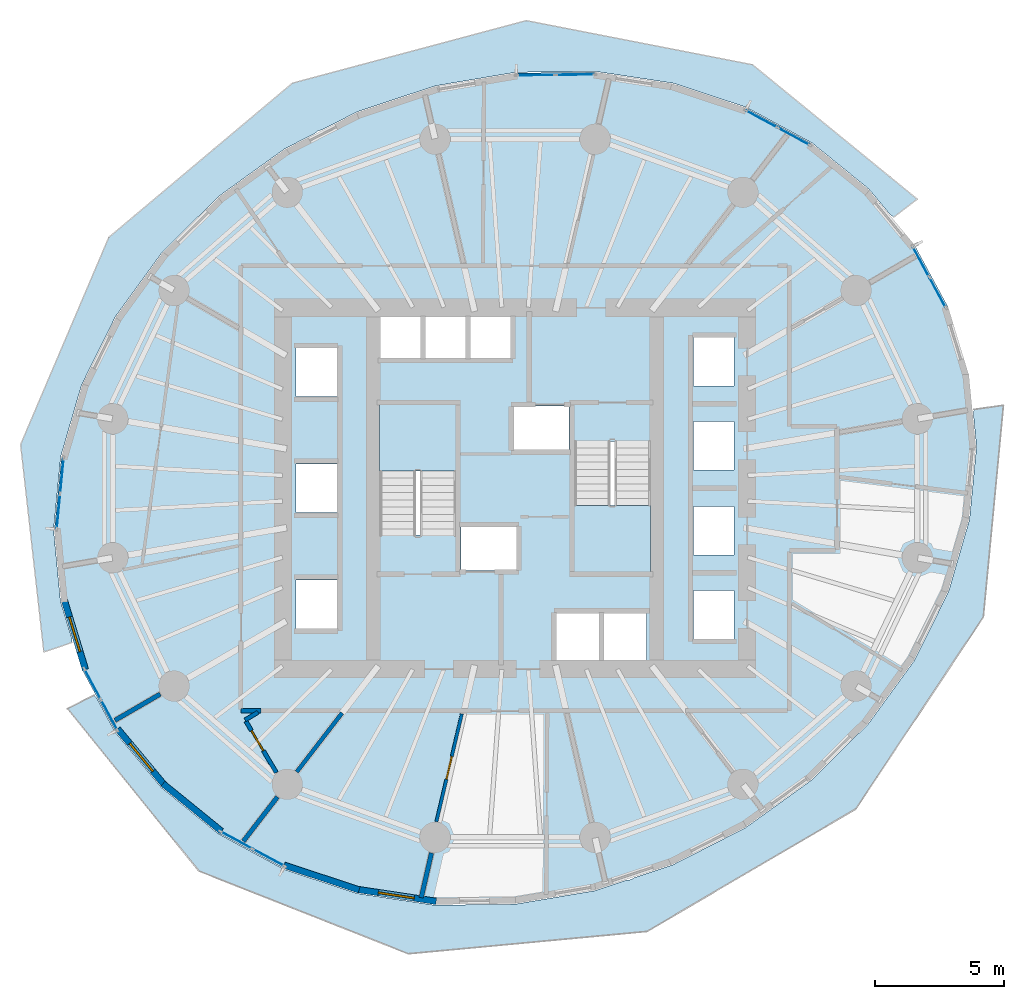
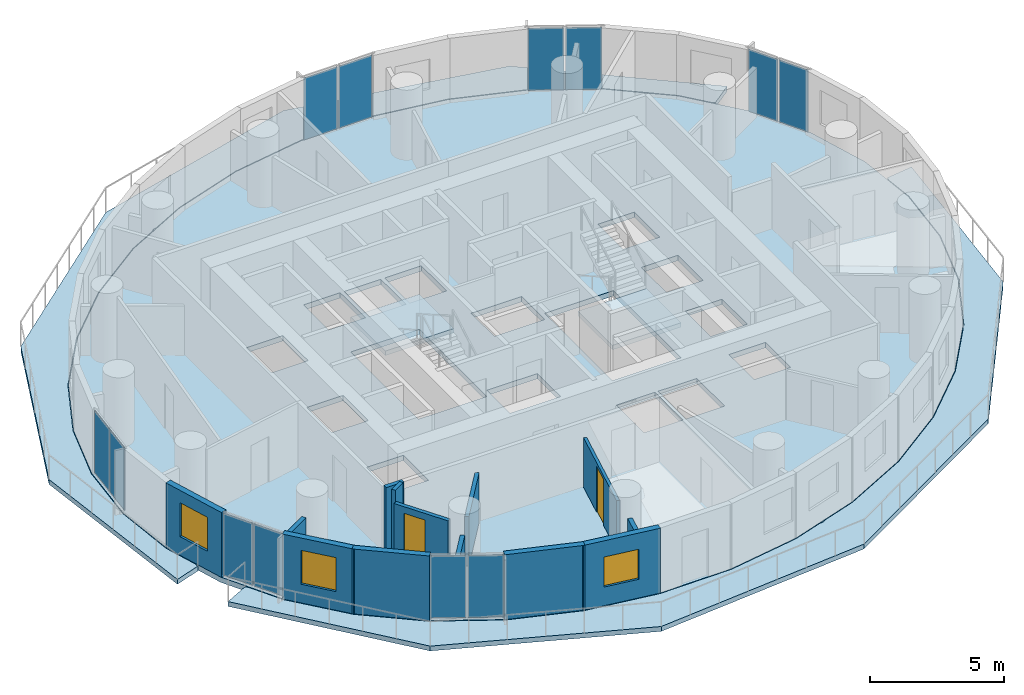
# One storey, part 6 of 14: 13 walls, 12 plates, 5 slabs, 3 windows, 2 doors, 5 openings, 8 elements without a shape of their own.
"""IFC4 building model written with IfcOpenShell, lengths in metres."""

from ifc_helpers import new_model, si_unit, direction, frame, frame_2d, origin, origin_2d, place, context, subcontext, project, spatial, polyline, rectangle, outline, extrude, material, layer, layer_set, type_object, element, fill, aggregate, save


model = new_model("IFC4")

# Units and contexts
model_context = context("Model", 3, precision=1e-05, world=origin(), true_north=direction((0.0, 1.0)))
body_context = subcontext(model_context, "Body", "Model", "MODEL_VIEW")
ifc_project = project(units=[si_unit("LENGTHUNIT", "METRE"), si_unit("AREAUNIT", "SQUARE_METRE"), si_unit("VOLUMEUNIT", "CUBIC_METRE"), si_unit("PLANEANGLEUNIT", "RADIAN"), si_unit("MASSUNIT", "GRAM", prefix="KILO")], contexts=[model_context])

# Site, building, storey
site_placement = place(None, origin())
site = spatial("IfcSite", under=ifc_project, at=site_placement, CompositionType="ELEMENT")
building_placement = place(site_placement, origin())
building = spatial("IfcBuilding", under=site, at=building_placement, Name="Veldorim Arch Residences", CompositionType="ELEMENT")
storey_placement = place(building_placement, frame((0.0, 0.0, 96.47998046875)))
storey = spatial("IfcBuildingStorey", under=building, at=storey_placement, Name="L28", CompositionType="ELEMENT", Elevation=96.47998046875)

# Slabs
ifc_material_1 = material(Name="Concrete C40/50", Category="concrete")
ifc_layer_1 = layer(ifc_material_1, 0.219970703125, Name="Planted Crescent Cantilever Balcony Slab 220")
ifc_layer_set_1 = layer_set([ifc_layer_1], Name="Concrete C40/50")
slab_type_1 = type_object("IfcSlabType", Name="Planted Crescent Cantilever Balcony Slab 220", PredefinedType="FLOOR", material=ifc_layer_set_1)
slab_1_placement = place(storey_placement, frame((0.0, 0.0, -0.219970703125)))
element("IfcSlab", 1, at=slab_1_placement, inside=storey, type_object=slab_type_1, Name="L28 planted crescent balcony slab A", PredefinedType="FLOOR", context=body_context, shape_type="SweptSolid", body=[
    extrude(outline(polyline([(46.537841796875, 34.610595703125), (45.7138671875, 35.598388671875), (43.5107421875, 37.387451171875), (40.9580078125, 38.76953125), (38.133056640625, 39.702880859375), (35.1220703125, 40.158935546875), (32.016357421875, 40.124267578125), (28.910400390625, 39.599609375), (25.898193359375, 38.601318359375), (24.527099609375, 37.902099609375), (24.356689453125, 37.854248046875), (24.228515625, 37.749755859375), (23.0712890625, 37.15966796875), (20.515625, 35.318115234375), (18.30859375, 33.132568359375), (16.517578125, 30.669677734375), (15.19677734375, 28.00390625), (14.38623046875, 25.21630859375), (14.111328125, 22.3916015625), (14.3798828125, 19.615478515625), (14.813232421875, 18.19189453125), (14.8212890625, 18.022216796875), (13.731689453125, 17.654296875), (12.83056640625, 25.695556640625), (16.251708984375, 33.730712890625), (23.368408203125, 39.70703125), (32.434326171875, 42.131591796875), (41.20703125, 40.41943359375), (47.590576171875, 35.210205078125), (46.677978515625, 34.51025390625), (46.537841796875, 34.610595703125)])), origin(), (0.0, 0.0, 1.0), 0.219970703125),
])
slab_2_placement = place(storey_placement, frame((0.0, 0.0, -0.219970703125)))
element("IfcSlab", 2, at=slab_2_placement, inside=storey, type_object=slab_type_1, Name="L28 planted crescent balcony slab B", PredefinedType="FLOOR", context=body_context, shape_type="SweptSolid", body=[
    extrude(outline(polyline([(15.791015625, 15.851806640625), (16.49951171875, 14.54345703125), (18.2861328125, 12.401611328125), (20.4892578125, 10.612548828125), (23.0419921875, 9.23046875), (25.866943359375, 8.297119140625), (28.8779296875, 7.841064453125), (31.983642578125, 7.875732421875), (35.089599609375, 8.400390625), (36.32275390625, 8.80908203125), (36.487060546875, 8.826904296875), (36.640869140625, 8.914306640625), (38.101806640625, 9.398681640625), (40.9287109375, 10.84033203125), (43.484375, 12.681884765625), (45.69140625, 14.867431640625), (47.482421875, 17.330322265625), (48.80322265625, 19.99609375), (49.61376953125, 22.78369140625), (49.888671875, 25.6083984375), (49.764892578125, 26.888427734375), (49.7919921875, 27.058837890625), (50.93115234375, 27.21630859375), (50.15234375, 19.013916015625), (45.20654296875, 11.56884765625), (37.111083984375, 6.821533203125), (27.858154296875, 5.95703125), (19.737060546875, 9.168701171875), (14.648681640625, 15.460205078125), (15.676025390625, 15.97705078125), (15.791015625, 15.851806640625)])), origin(), (0.0, 0.0, 1.0), 0.219970703125),
])

# Stair, slab
ifc_material_2 = material(Name="Concrete C40/50", Category="concrete")
stair_type = type_object("IfcStairType", Name="Reinforced Concrete Dogleg Exit Staircase", PredefinedType="HALF_TURN_STAIR", material=ifc_material_2)
stair_1_placement = place(storey_placement, origin())
stair_1 = element("IfcStair", 3, at=stair_1_placement, inside=storey, type_object=stair_type, Name="L28 Exit Staircase ST-1", PredefinedType="HALF_TURN_STAIR")
ifc_material_3 = material(Name="Concrete C40/50", Category="concrete")
ifc_layer_2 = layer(ifc_material_3, 0.199951171875, Name="Reinforced Concrete Stair Landing 200")
ifc_layer_set_2 = layer_set([ifc_layer_2], Name="Concrete C40/50")
slab_type_2 = type_object("IfcSlabType", Name="Reinforced Concrete Stair Landing 200", PredefinedType="LANDING", material=ifc_layer_set_2)
slab_3_placement = place(storey_placement, frame((0.0, 0.0, 1.39990234375)))
slab_3 = element("IfcSlab", 4, at=slab_3_placement, type_object=slab_type_2, Name="ST-1 landing 1", PredefinedType="LANDING", context=body_context, shape_type="SweptSolid", body=[
    extrude(outline(polyline([(29.7099609375, 24.669921875), (29.7099609375, 27.25), (26.75, 27.25), (26.75, 24.669921875), (29.7099609375, 24.669921875)])), origin(), (0.0, 0.0, 1.0), 0.2001953125),
])
aggregate(stair_1, [slab_3])

stair_2_placement = place(storey_placement, origin())
stair_2 = element("IfcStair", 5, at=stair_2_placement, inside=storey, type_object=stair_type, Name="L28 Exit Staircase ST-2", PredefinedType="HALF_TURN_STAIR")
slab_4_placement = place(storey_placement, frame((0.0, 0.0, 1.39990234375)))
slab_4 = element("IfcSlab", 6, at=slab_4_placement, type_object=slab_type_2, Name="ST-2 landing 1", PredefinedType="LANDING", context=body_context, shape_type="SweptSolid", body=[
    extrude(outline(polyline([(34.2900390625, 23.330078125), (34.2900390625, 20.75), (37.25, 20.75), (37.25, 23.330078125), (34.2900390625, 23.330078125)])), origin(), (0.0, 0.0, 1.0), 0.2001953125),
])
aggregate(stair_2, [slab_4])

# Slab
ifc_material_4 = material(Name="Concrete C40/50", Category="concrete")
ifc_layer_3 = layer(ifc_material_4, 0.239990234375, Name="Typical Residential Floor Slab 240")
ifc_layer_set_3 = layer_set([ifc_layer_3], Name="Concrete C40/50")
slab_type_3 = type_object("IfcSlabType", Name="Typical Residential Floor Slab 240", PredefinedType="FLOOR", material=ifc_layer_set_3)
slab_5_placement = place(storey_placement, frame((0.0, 0.0, -0.239990234375)))
element("IfcSlab", 7, at=slab_5_placement, inside=storey, type_object=slab_type_3, Name="L28 tower structural floor slab", PredefinedType="FLOOR", context=body_context, shape_type="SweptSolid", body=[
    extrude(outline(polyline([(48.79248046875, 31.017578125), (47.4794921875, 33.4423828125), (45.6962890625, 35.58056640625), (43.49658203125, 37.36669921875), (40.947998046875, 38.74658203125), (38.127197265625, 39.678466796875), (35.120361328125, 40.1337890625), (32.0185546875, 40.09912109375), (28.916259765625, 39.575439453125), (25.90771484375, 38.578125), (23.084228515625, 37.13818359375), (20.53173828125, 35.298828125), (18.32763671875, 33.1162109375), (16.5390625, 30.65673828125), (15.22021484375, 27.994873046875), (14.410888671875, 25.211669921875), (14.136474609375, 22.3916015625), (14.404541015625, 19.62060546875), (15.20751953125, 16.982421875), (16.5205078125, 14.5576171875), (18.3037109375, 12.41943359375), (20.50341796875, 10.63330078125), (23.052001953125, 9.25341796875), (25.872802734375, 8.321533203125), (28.879638671875, 7.8662109375), (31.9814453125, 7.90087890625), (35.083740234375, 8.424560546875), (38.09228515625, 9.421875), (40.915771484375, 10.86181640625), (43.46826171875, 12.701171875), (45.67236328125, 14.8837890625), (47.4609375, 17.34326171875), (48.77978515625, 20.005126953125), (49.589111328125, 22.788330078125), (49.863525390625, 25.6083984375), (49.595458984375, 28.37939453125), (48.79248046875, 31.017578125)]), holes=[polyline([(23.510009765625, 20.43994140625), (25.090087890625, 20.43994140625), (25.090087890625, 18.56005859375), (23.510009765625, 18.56005859375), (23.510009765625, 20.43994140625)]), polyline([(29.909912109375, 22.544921875), (32.090087890625, 22.544921875), (32.090087890625, 20.81494140625), (29.909912109375, 20.81494140625), (29.909912109375, 22.544921875)]), polyline([(23.510009765625, 24.93994140625), (25.090087890625, 24.93994140625), (25.090087890625, 23.06005859375), (23.510009765625, 23.06005859375), (23.510009765625, 24.93994140625)]), polyline([(26.75, 27.25), (29.7099609375, 27.25), (29.7099609375, 22.195068359375), (26.75, 22.195068359375), (26.75, 27.25)]), polyline([(23.510009765625, 29.43994140625), (25.090087890625, 29.43994140625), (25.090087890625, 27.56005859375), (23.510009765625, 27.56005859375), (23.510009765625, 29.43994140625)]), polyline([(26.760009765625, 30.7900390625), (28.340087890625, 30.7900390625), (28.340087890625, 28.909912109375), (26.760009765625, 28.909912109375), (26.760009765625, 30.7900390625)]), polyline([(28.510009765625, 30.7900390625), (30.090087890625, 30.7900390625), (30.090087890625, 28.909912109375), (28.510009765625, 28.909912109375), (28.510009765625, 30.7900390625)]), polyline([(30.260009765625, 30.7900390625), (31.840087890625, 30.7900390625), (31.840087890625, 28.909912109375), (30.260009765625, 28.909912109375), (30.260009765625, 30.7900390625)]), polyline([(33.610107421875, 19.2900390625), (35.2900390625, 19.2900390625), (35.2900390625, 17.2099609375), (33.610107421875, 17.2099609375), (33.610107421875, 19.2900390625)]), polyline([(35.409912109375, 19.2900390625), (37.090087890625, 19.2900390625), (37.090087890625, 17.2099609375), (35.409912109375, 17.2099609375), (35.409912109375, 19.2900390625)]), polyline([(38.909912109375, 20.0400390625), (40.489990234375, 20.0400390625), (40.489990234375, 18.159912109375), (38.909912109375, 18.159912109375), (38.909912109375, 20.0400390625)]), polyline([(38.909912109375, 23.2900390625), (40.489990234375, 23.2900390625), (40.489990234375, 21.409912109375), (38.909912109375, 21.409912109375), (38.909912109375, 23.2900390625)]), polyline([(34.2900390625, 25.804931640625), (37.25, 25.804931640625), (37.25, 20.75), (34.2900390625, 20.75), (34.2900390625, 25.804931640625)]), polyline([(38.909912109375, 26.590087890625), (40.489990234375, 26.590087890625), (40.489990234375, 24.7099609375), (38.909912109375, 24.7099609375), (38.909912109375, 26.590087890625)]), polyline([(31.909912109375, 27.18505859375), (34.090087890625, 27.18505859375), (34.090087890625, 25.455078125), (31.909912109375, 25.455078125), (31.909912109375, 27.18505859375)]), polyline([(38.909912109375, 29.840087890625), (40.489990234375, 29.840087890625), (40.489990234375, 27.9599609375), (38.909912109375, 27.9599609375), (38.909912109375, 29.840087890625)])]), origin(), (0.0, 0.0, 1.0), 0.239990234375),
])

# Curtain wall, plates
ifc_material_5 = material(Name="Aluminium", Category="aluminium")
curtain_wall_type = type_object("IfcCurtainWallType", Name="Zone 2 Solar-Control Unitised Curtain Wall", PredefinedType="NOTDEFINED", material=ifc_material_5)
curtain_wall_1_placement = place(storey_placement, origin())
curtain_wall_1 = element("IfcCurtainWall", 8, at=curtain_wall_1_placement, inside=storey, type_object=curtain_wall_type, Name="L28 unitised curtain wall bay 01", PredefinedType="NOTDEFINED")
ifc_material_6 = material(Name="Laminated Low-E Glass", Category="glass")
ifc_layer_4 = layer(ifc_material_6, 0.02587890625, Name="Zone 2 Solar-Control Unitised Curtain Wall Glazing Panel 26")
ifc_layer_set_4 = layer_set([ifc_layer_4], Name="Laminated Low-E Glass")
plate_type = type_object("IfcPlateType", Name="Zone 2 Solar-Control Unitised Curtain Wall Glazing Panel 26", PredefinedType="CURTAIN_PANEL", material=ifc_layer_set_4)
plate_1_placement = place(storey_placement, frame((47.736572265625, 32.779052734375, 0.06494140625), z_axis=(0.0, 0.0, 1.0), x_axis=(0.4761464591, -0.87936599291, 0.0)))
plate_1 = element("IfcPlate", 9, at=plate_1_placement, type_object=plate_type, Name="CW-Z2 panel 1.1", PredefinedType="CURTAIN_PANEL", context=body_context, shape_type="SweptSolid", body=[
    extrude(rectangle(XDim=1.28125, YDim=0.02587890625, at=origin_2d()), origin(), (0.0, 0.0, 1.0), 2.830078125),
])
plate_2_placement = place(storey_placement, frame((48.37744140625, 31.59521484375, 0.06494140625), z_axis=(0.0, 0.0, 1.0), x_axis=(0.4761464591, -0.87936599291, 0.0)))
plate_2 = element("IfcPlate", 10, at=plate_2_placement, type_object=plate_type, Name="CW-Z2 panel 2.1", PredefinedType="CURTAIN_PANEL", context=body_context, shape_type="SweptSolid", body=[
    extrude(rectangle(XDim=1.28125, YDim=0.02587890625, at=origin_2d()), origin(), (0.0, 0.0, 1.0), 2.830078125),
])
aggregate(curtain_wall_1, [plate_1, plate_2])

curtain_wall_2_placement = place(storey_placement, origin())
curtain_wall_2 = element("IfcCurtainWall", 11, at=curtain_wall_2_placement, inside=storey, type_object=curtain_wall_type, Name="L28 unitised curtain wall bay 04", PredefinedType="NOTDEFINED")
plate_3_placement = place(storey_placement, frame((41.556640625, 38.314697265625, 0.06494140625), z_axis=(0.0, 0.0, 1.0), x_axis=(0.879393091534, -0.476096408895, 0.0)))
plate_3 = element("IfcPlate", 12, at=plate_3_placement, type_object=plate_type, Name="CW-Z2 panel 1.1", PredefinedType="CURTAIN_PANEL", context=body_context, shape_type="SweptSolid", body=[
    extrude(rectangle(XDim=1.3515625, YDim=0.02587890625, at=origin_2d()), origin(), (0.0, 0.0, 1.0), 2.830078125),
])
plate_4_placement = place(storey_placement, frame((42.802490234375, 37.64013671875, 0.06494140625), z_axis=(0.0, 0.0, 1.0), x_axis=(0.879393091534, -0.476096408895, 0.0)))
plate_4 = element("IfcPlate", 13, at=plate_4_placement, type_object=plate_type, Name="CW-Z2 panel 2.1", PredefinedType="CURTAIN_PANEL", context=body_context, shape_type="SweptSolid", body=[
    extrude(rectangle(XDim=1.3515625, YDim=0.02587890625, at=origin_2d()), origin(), (0.0, 0.0, 1.0), 2.830078125),
])
aggregate(curtain_wall_2, [plate_3, plate_4])

curtain_wall_3_placement = place(storey_placement, origin())
curtain_wall_3 = element("IfcCurtainWall", 14, at=curtain_wall_3_placement, inside=storey, type_object=curtain_wall_type, Name="L28 unitised curtain wall bay 07", PredefinedType="NOTDEFINED")
plate_5_placement = place(storey_placement, frame((32.811279296875, 40.01806640625, 0.06494140625), z_axis=(0.0, 0.0, 1.0), x_axis=(0.999937426765, 0.01118671332, 0.0)))
plate_5 = element("IfcPlate", 15, at=plate_5_placement, type_object=plate_type, Name="CW-Z2 panel 1.1", PredefinedType="CURTAIN_PANEL", context=body_context, shape_type="SweptSolid", body=[
    extrude(rectangle(XDim=1.453369140625, YDim=0.02587890625, at=origin_2d()), origin(), (0.0, 0.0, 1.0), 2.830078125),
])
plate_6_placement = place(storey_placement, frame((34.32958984375, 40.03515625, 0.06494140625), z_axis=(0.0, 0.0, 1.0), x_axis=(0.999937426765, 0.01118671332, 0.0)))
plate_6 = element("IfcPlate", 16, at=plate_6_placement, type_object=plate_type, Name="CW-Z2 panel 2.1", PredefinedType="CURTAIN_PANEL", context=body_context, shape_type="SweptSolid", body=[
    extrude(rectangle(XDim=1.453369140625, YDim=0.02587890625, at=origin_2d()), origin(), (0.0, 0.0, 1.0), 2.830078125),
])
aggregate(curtain_wall_3, [plate_5, plate_6])

curtain_wall_4_placement = place(storey_placement, origin())
curtain_wall_4 = element("IfcCurtainWall", 17, at=curtain_wall_4_placement, inside=storey, type_object=curtain_wall_type, Name="L28 unitised curtain wall bay 16", PredefinedType="NOTDEFINED")
plate_7_placement = place(storey_placement, frame((14.296142578125, 23.10400390625, 0.06494140625), z_axis=(0.0, 0.0, 1.0), x_axis=(0.096914077387, 0.995292751709, 0.0)))
plate_7 = element("IfcPlate", 18, at=plate_7_placement, type_object=plate_type, Name="CW-Z2 panel 1.1", PredefinedType="CURTAIN_PANEL", context=body_context, shape_type="SweptSolid", body=[
    extrude(rectangle(XDim=1.3193359375, YDim=0.02587890625, at=origin_2d()), origin(), (0.0, 0.0, 1.0), 2.830078125),
])
plate_8_placement = place(storey_placement, frame((14.430419921875, 24.481689453125, 0.06494140625), z_axis=(0.0, 0.0, 1.0), x_axis=(0.096914077387, 0.995292751709, 0.0)))
plate_8 = element("IfcPlate", 19, at=plate_8_placement, type_object=plate_type, Name="CW-Z2 panel 2.1", PredefinedType="CURTAIN_PANEL", context=body_context, shape_type="SweptSolid", body=[
    extrude(rectangle(XDim=1.3193359375, YDim=0.02587890625, at=origin_2d()), origin(), (0.0, 0.0, 1.0), 2.830078125),
])
aggregate(curtain_wall_4, [plate_7, plate_8])

curtain_wall_5_placement = place(storey_placement, origin())
curtain_wall_5 = element("IfcCurtainWall", 20, at=curtain_wall_5_placement, inside=storey, type_object=curtain_wall_type, Name="L28 unitised curtain wall bay 19", PredefinedType="NOTDEFINED")
plate_9_placement = place(storey_placement, frame((16.263427734375, 15.220947265625, 0.06494140625), z_axis=(0.0, 0.0, 1.0), x_axis=(-0.4761464591, 0.87936599291, 0.0)))
plate_9 = element("IfcPlate", 21, at=plate_9_placement, type_object=plate_type, Name="CW-Z2 panel 1.1", PredefinedType="CURTAIN_PANEL", context=body_context, shape_type="SweptSolid", body=[
    extrude(rectangle(XDim=1.28125, YDim=0.02587890625, at=origin_2d()), origin(), (0.0, 0.0, 1.0), 2.830078125),
])
plate_10_placement = place(storey_placement, frame((15.62255859375, 16.40478515625, 0.06494140625), z_axis=(0.0, 0.0, 1.0), x_axis=(-0.4761464591, 0.87936599291, 0.0)))
plate_10 = element("IfcPlate", 22, at=plate_10_placement, type_object=plate_type, Name="CW-Z2 panel 2.1", PredefinedType="CURTAIN_PANEL", context=body_context, shape_type="SweptSolid", body=[
    extrude(rectangle(XDim=1.28125, YDim=0.02587890625, at=origin_2d()), origin(), (0.0, 0.0, 1.0), 2.830078125),
])
aggregate(curtain_wall_5, [plate_9, plate_10])

curtain_wall_6_placement = place(storey_placement, origin())
curtain_wall_6 = element("IfcCurtainWall", 23, at=curtain_wall_6_placement, inside=storey, type_object=curtain_wall_type, Name="L28 unitised curtain wall bay 22", PredefinedType="NOTDEFINED")
plate_11_placement = place(storey_placement, frame((22.443359375, 9.685302734375, 0.06494140625), z_axis=(0.0, 0.0, 1.0), x_axis=(-0.879393091534, 0.476096408895, 0.0)))
plate_11 = element("IfcPlate", 24, at=plate_11_placement, type_object=plate_type, Name="CW-Z2 panel 1.1", PredefinedType="CURTAIN_PANEL", context=body_context, shape_type="SweptSolid", body=[
    extrude(rectangle(XDim=1.3515625, YDim=0.02587890625, at=origin_2d()), origin(), (0.0, 0.0, 1.0), 2.830078125),
])
plate_12_placement = place(storey_placement, frame((21.197509765625, 10.35986328125, 0.06494140625), z_axis=(0.0, 0.0, 1.0), x_axis=(-0.879393091534, 0.476096408895, 0.0)))
plate_12 = element("IfcPlate", 25, at=plate_12_placement, type_object=plate_type, Name="CW-Z2 panel 2.1", PredefinedType="CURTAIN_PANEL", context=body_context, shape_type="SweptSolid", body=[
    extrude(rectangle(XDim=1.3515625, YDim=0.02587890625, at=origin_2d()), origin(), (0.0, 0.0, 1.0), 2.830078125),
])
aggregate(curtain_wall_6, [plate_11, plate_12])

# Wall, opening, door
ifc_material_7 = material(Name="Acoustic Gypsum Board", Category="gypsum")
ifc_layer_5 = layer(ifc_material_7, 0.125, Name="Acoustic Stud Room Partition Wall 125")
ifc_layer_set_5 = layer_set([ifc_layer_5], Name="Acoustic Gypsum Board")
wall_type_1 = type_object("IfcWallType", Name="Acoustic Stud Room Partition Wall 125", PredefinedType="PARTITIONING", material=ifc_layer_set_5)
wall_1_placement = place(storey_placement, frame((28.951171875, 11.0732421875, 0.0), z_axis=(0.0, 0.0, 1.0), x_axis=(0.229552612231, 0.973296254086, 0.0)))
wall_1 = element("IfcWall", 26, at=wall_1_placement, inside=storey, type_object=wall_type_1, Name="L28 interior wall WL-RES-L28-014", PredefinedType="PARTITIONING", context=body_context, shape_type="SweptSolid", body=[
    extrude(rectangle(XDim=4.294677734375, YDim=0.125, at=frame_2d((2.1474609375, 0.0))), origin(), (0.0, 0.0, 1.0), 2.260498046875),
])
opening_1_placement = place(wall_1_placement, frame((1.697509765625, 0.0, 0.0)))
opening_1 = element("IfcOpeningElement", 27, at=opening_1_placement, cuts=wall_1, Name="Opening DR-INT", PredefinedType="OPENING", context=body_context, shape_type="SweptSolid", body=[
    extrude(rectangle(XDim=0.89990234375, YDim=2.10009765625, at=frame_2d((0.449951171875, 1.050048828125))), frame((0.0, 0.072509765625, 0.0), z_axis=(0.0, -1.0, 0.0), x_axis=(1.0, 0.0, 0.0)), (0.0, 0.0, 1.0), 0.14501953125),
])
ifc_material_8 = material(Name="Engineered Timber", Category="wood")
door_type_1 = type_object("IfcDoorType", Name="Apartment Internal Room Timber Door 900x2100", OperationType="SINGLE_SWING_LEFT", PredefinedType="DOOR", material=ifc_material_8)
door_1_placement = place(opening_1_placement, origin())
door_1 = element("IfcDoor", 28, at=door_1_placement, inside=storey, type_object=door_type_1, Name="L28 interior door DR-RES-L28-003", OperationType="SINGLE_SWING_LEFT", OverallHeight=2.10009765625, OverallWidth=0.89990234375, PredefinedType="DOOR", context=body_context, shape_type="SweptSolid", body=[
    extrude(rectangle(XDim=0.89990234375, YDim=2.10009765625, at=frame_2d((0.449951171875, 1.050048828125))), frame((0.0, 0.02490234375, 0.0), z_axis=(0.0, -1.0, 0.0), x_axis=(1.0, 0.0, 0.0)), (0.0, 0.0, 1.0), 0.050048828125),
])
fill(opening_1, door_1)

# Walls
ifc_material_9 = material(Name="Lightweight Masonry Block & Gypsum", Category="masonry")
ifc_layer_6 = layer(ifc_material_9, 0.179931640625, Name="Compartment & Corridor Fire-Rated Party Wall 180")
ifc_layer_set_6 = layer_set([ifc_layer_6], Name="Lightweight Masonry Block & Gypsum")
wall_type_2 = type_object("IfcWallType", Name="Compartment & Corridor Fire-Rated Party Wall 180", PredefinedType="PARTITIONING", material=ifc_layer_set_6)
wall_2_placement = place(storey_placement, frame((18.243408203125, 16.022216796875, 0.0), z_axis=(0.0, 0.0, 1.0), x_axis=(-0.865025978628, -0.501727073516, 0.0)))
element("IfcWall", 29, at=wall_2_placement, inside=storey, type_object=wall_type_2, Name="L28 interior wall WL-PIER-L28-10", PredefinedType="PARTITIONING", context=body_context, shape_type="SweptSolid", body=[
    extrude(rectangle(XDim=2.033447265625, YDim=0.179931640625, at=frame_2d((1.0166015625, 0.0))), origin(), (0.0, 0.0, 1.0), 2.260498046875),
])
wall_3_placement = place(storey_placement, frame((22.7880859375, 12.034423828125, 0.0), z_axis=(0.0, 0.0, 1.0), x_axis=(-0.610026423006, -0.792381071981, 0.0)))
element("IfcWall", 30, at=wall_3_placement, inside=storey, type_object=wall_type_2, Name="L28 interior wall WL-PIER-L28-11", PredefinedType="PARTITIONING", context=body_context, shape_type="SweptSolid", body=[
    extrude(rectangle(XDim=2.16748046875, YDim=0.179931640625, at=frame_2d((1.083740234375, 0.0))), origin(), (0.0, 0.0, 1.0), 2.260498046875),
])
wall_4_placement = place(storey_placement, frame((28.759521484375, 9.86083984375, 0.0), z_axis=(0.0, 0.0, 1.0), x_axis=(-0.223406034992, -0.974725470853, 0.0)))
element("IfcWall", 31, at=wall_4_placement, inside=storey, type_object=wall_type_2, Name="L28 interior wall WL-PIER-L28-12", PredefinedType="PARTITIONING", context=body_context, shape_type="SweptSolid", body=[
    extrude(rectangle(XDim=1.779052734375, YDim=0.179931640625, at=frame_2d((0.8896484375, 0.0))), origin(), (0.0, 0.0, 1.0), 2.260498046875),
])
wall_5_placement = place(storey_placement, frame((22.1435546875, 15.3701171875, 0.0), z_axis=(0.0, 0.0, 1.0), x_axis=(-1.0, 0.0, 0.0)))
element("IfcWall", 32, at=wall_5_placement, inside=storey, type_object=wall_type_2, Name="L28 interior wall WL-RES-L28-011", PredefinedType="PARTITIONING", context=body_context, shape_type="SweptSolid", body=[
    extrude(rectangle(XDim=0.7734375, YDim=0.179931640625, at=frame_2d((0.38671875, 0.0))), origin(), (0.0, 0.0, 1.0), 2.955078125),
])

# Wall, opening, window
ifc_material_10 = material(Name="Precast concrete C40/50", Category="concrete")
ifc_layer_7 = layer(ifc_material_10, 0.25, Name="Tower Terracotta Spandrel & Pier Wall 250")
ifc_layer_set_7 = layer_set([ifc_layer_7], Name="Precast concrete C40/50")
wall_type_3 = type_object("IfcWallType", Name="Tower Terracotta Spandrel & Pier Wall 250", PredefinedType="SOLIDWALL", material=ifc_layer_set_7)
wall_6_placement = place(storey_placement, frame((15.340087890625, 16.9755859375, 0.0), z_axis=(0.0, 0.0, 1.0), x_axis=(-0.291144558409, 0.956679071637, 0.0)))
wall_6 = element("IfcWall", 33, at=wall_6_placement, inside=storey, type_object=wall_type_3, Name="L28 terracotta facade wall 18", PredefinedType="SOLIDWALL", context=body_context, shape_type="SweptSolid", body=[
    extrude(rectangle(XDim=2.84765625, YDim=0.25, at=frame_2d((1.423828125, 0.0))), origin(), (0.0, 0.0, 1.0), 2.9599609375),
])
opening_2_placement = place(wall_6_placement, frame((0.72412109375, 0.0, 0.85009765625)))
opening_2 = element("IfcOpeningElement", 34, at=opening_2_placement, cuts=wall_6, Name="Opening WN-02", PredefinedType="OPENING", context=body_context, shape_type="SweptSolid", body=[
    extrude(rectangle(XDim=1.39990234375, YDim=1.550048828125, at=frame_2d((0.699951171875, 0.77490234375))), frame((0.0, 0.135009765625, 0.0), z_axis=(0.0, -1.0, 0.0), x_axis=(1.0, 0.0, 0.0)), (0.0, 0.0, 1.0), 0.27001953125),
])
ifc_material_11 = material(Name="Laminated Low-E Glass", Category="glass")
window_type = type_object("IfcWindowType", Name="Residential Casement Window 1400x1550", PartitioningType="SINGLE_PANEL", PredefinedType="WINDOW", material=ifc_material_11)
window_1_placement = place(opening_2_placement, origin())
window_1 = element("IfcWindow", 35, at=window_1_placement, inside=storey, type_object=window_type, Name="L28 solar-control facade window 18", OverallHeight=1.550048828125, OverallWidth=1.39990234375, PartitioningType="SINGLE_PANEL", PredefinedType="WINDOW", context=body_context, shape_type="SweptSolid", body=[
    extrude(rectangle(XDim=1.39990234375, YDim=1.550048828125, at=frame_2d((0.699951171875, 0.77490234375))), frame((0.0, 0.030029296875, 0.0), z_axis=(0.0, -1.0, 0.0), x_axis=(1.0, 0.0, 0.0)), (0.0, 0.0, 1.0), 0.06005859375),
])
fill(opening_2, window_1)

wall_7_placement = place(storey_placement, frame((18.428466796875, 12.465087890625, 0.0), z_axis=(0.0, 0.0, 1.0), x_axis=(-0.640518566271, 0.76794268423, 0.0)))
wall_7 = element("IfcWall", 36, at=wall_7_placement, inside=storey, type_object=wall_type_3, Name="L28 terracotta facade wall 20", PredefinedType="SOLIDWALL", context=body_context, shape_type="SweptSolid", body=[
    extrude(rectangle(XDim=2.8740234375, YDim=0.25, at=frame_2d((1.43701171875, 0.0))), origin(), (0.0, 0.0, 1.0), 2.9599609375),
])
opening_3_placement = place(wall_7_placement, frame((0.737060546875, 0.0, 0.85009765625)))
opening_3 = element("IfcOpeningElement", 37, at=opening_3_placement, cuts=wall_7, Name="Opening WN-02", PredefinedType="OPENING", context=body_context, shape_type="SweptSolid", body=[
    extrude(rectangle(XDim=1.39990234375, YDim=1.550048828125, at=frame_2d((0.699951171875, 0.77490234375))), frame((0.0, 0.135009765625, 0.0), z_axis=(0.0, -1.0, 0.0), x_axis=(1.0, 0.0, 0.0)), (0.0, 0.0, 1.0), 0.27001953125),
])
window_2_placement = place(opening_3_placement, origin())
window_2 = element("IfcWindow", 38, at=window_2_placement, inside=storey, type_object=window_type, Name="L28 solar-control facade window 20", OverallHeight=1.550048828125, OverallWidth=1.39990234375, PartitioningType="SINGLE_PANEL", PredefinedType="WINDOW", context=body_context, shape_type="SweptSolid", body=[
    extrude(rectangle(XDim=1.39990234375, YDim=1.550048828125, at=frame_2d((0.699951171875, 0.77490234375))), frame((0.0, 0.030029296875, 0.0), z_axis=(0.0, -1.0, 0.0), x_axis=(1.0, 0.0, 0.0)), (0.0, 0.0, 1.0), 0.06005859375),
])
fill(opening_3, window_2)

# Walls
wall_8_placement = place(storey_placement, frame((20.616943359375, 10.7021484375, 0.0), z_axis=(0.0, 0.0, 1.0), x_axis=(-0.776285131062, 0.630381943976, 0.0)))
element("IfcWall", 39, at=wall_8_placement, inside=storey, type_object=wall_type_3, Name="L28 terracotta facade wall 21", PredefinedType="SOLIDWALL", context=body_context, shape_type="SweptSolid", body=[
    extrude(rectangle(XDim=2.92333984375, YDim=0.25, at=frame_2d((1.461669921875, 0.0))), origin(), (0.0, 0.0, 1.0), 2.9599609375),
])
wall_9_placement = place(storey_placement, frame((25.95458984375, 8.42626953125, 0.0), z_axis=(0.0, 0.0, 1.0), x_axis=(-0.949533409058, 0.313665913166, 0.0)))
element("IfcWall", 40, at=wall_9_placement, inside=storey, type_object=wall_type_3, Name="L28 terracotta facade wall 23", PredefinedType="SOLIDWALL", context=body_context, shape_type="SweptSolid", body=[
    extrude(rectangle(XDim=3.060546875, YDim=0.25, at=frame_2d((1.5302734375, 0.0))), origin(), (0.0, 0.0, 1.0), 2.9599609375),
])

# Wall, opening, window
wall_10_placement = place(storey_placement, frame((28.94287109375, 7.98291015625, 0.0), z_axis=(0.0, 0.0, 1.0), x_axis=(-0.988719703222, 0.149777663425, 0.0)))
wall_10 = element("IfcWall", 41, at=wall_10_placement, inside=storey, type_object=wall_type_3, Name="L28 terracotta facade wall 24", PredefinedType="SOLIDWALL", context=body_context, shape_type="SweptSolid", body=[
    extrude(rectangle(XDim=3.13134765625, YDim=0.25, at=frame_2d((1.565673828125, 0.0))), origin(), (0.0, 0.0, 1.0), 2.9599609375),
])
opening_4_placement = place(wall_10_placement, frame((0.865966796875, 0.0, 0.85009765625)))
opening_4 = element("IfcOpeningElement", 42, at=opening_4_placement, cuts=wall_10, Name="Opening WN-02", PredefinedType="OPENING", context=body_context, shape_type="SweptSolid", body=[
    extrude(rectangle(XDim=1.39990234375, YDim=1.3701171875, at=frame_2d((0.699951171875, 0.68505859375))), frame((0.0, 0.135009765625, 0.0), z_axis=(0.0, -1.0, 0.0), x_axis=(1.0, 0.0, 0.0)), (0.0, 0.0, 1.0), 0.27001953125),
])
window_3_placement = place(opening_4_placement, origin())
window_3 = element("IfcWindow", 43, at=window_3_placement, inside=storey, type_object=window_type, Name="L28 solar-control facade window 24", OverallHeight=1.3701171875, OverallWidth=1.39990234375, PartitioningType="SINGLE_PANEL", PredefinedType="WINDOW", context=body_context, shape_type="SweptSolid", body=[
    extrude(rectangle(XDim=1.39990234375, YDim=1.3701171875, at=frame_2d((0.699951171875, 0.68505859375))), frame((0.0, 0.030029296875, 0.0), z_axis=(0.0, -1.0, 0.0), x_axis=(1.0, 0.0, 0.0)), (0.0, 0.0, 1.0), 0.06005859375),
])
fill(opening_4, window_3)

# Walls
ifc_material_12 = material(Name="Moisture-Resistant Gypsum & Stud", Category="gypsum")
ifc_layer_8 = layer(ifc_material_12, 0.159912109375, Name="Wet-Area Moisture-Resistant Plumbing Wall 160")
ifc_layer_set_8 = layer_set([ifc_layer_8], Name="Moisture-Resistant Gypsum & Stud")
wall_type_4 = type_object("IfcWallType", Name="Wet-Area Moisture-Resistant Plumbing Wall 160", PredefinedType="PLUMBINGWALL", material=ifc_layer_set_8)
wall_11_placement = place(storey_placement, frame((23.5341796875, 13.00341796875, 0.0), z_axis=(0.0, 0.0, 1.0), x_axis=(0.610033601295, 0.792375545617, 0.0)))
element("IfcWall", 44, at=wall_11_placement, inside=storey, type_object=wall_type_4, Name="L28 interior wall WL-RES-L28-016", PredefinedType="PLUMBINGWALL", context=body_context, shape_type="SweptSolid", body=[
    extrude(rectangle(XDim=2.88671875, YDim=0.159912109375, at=frame_2d((1.443359375, 0.0))), origin(), (0.0, 0.0, 1.0), 2.260498046875),
])
wall_12_placement = place(storey_placement, frame((22.03759765625, 15.319091796875, 0.0), z_axis=(0.0, 0.0, 1.0), x_axis=(-0.860054653874, -0.510201913315, 0.0)))
element("IfcWall", 45, at=wall_12_placement, inside=storey, type_object=wall_type_4, Name="L28 interior wall WL-RES-L28-029", PredefinedType="PLUMBINGWALL", context=body_context, shape_type="SweptSolid", body=[
    extrude(rectangle(XDim=0.586181640625, YDim=0.159912109375, at=frame_2d((0.29296875, 0.0))), origin(), (0.0, 0.0, 1.0), 2.955078125),
])

# Wall, opening, door
wall_13_placement = place(storey_placement, frame((21.564208984375, 14.968505859375, 0.0), z_axis=(0.0, 0.0, 1.0), x_axis=(0.51007742589, -0.860128490168, 0.0)))
wall_13 = element("IfcWall", 46, at=wall_13_placement, inside=storey, type_object=wall_type_4, Name="L28 interior wall WL-RES-L28-030", PredefinedType="PLUMBINGWALL", context=body_context, shape_type="SweptSolid", body=[
    extrude(rectangle(XDim=2.311279296875, YDim=0.159912109375, at=frame_2d((1.15576171875, 0.0))), origin(), (0.0, 0.0, 1.0), 2.4033203125),
])
opening_5_placement = place(wall_13_placement, frame((0.42578125, 0.0, 0.0)))
opening_5 = element("IfcOpeningElement", 47, at=opening_5_placement, cuts=wall_13, Name="Opening DR-WC", PredefinedType="OPENING", context=body_context, shape_type="SweptSolid", body=[
    extrude(rectangle(XDim=0.89990234375, YDim=2.10009765625, at=frame_2d((0.449951171875, 1.050048828125))), frame((0.0, 0.08984375, 0.0), z_axis=(0.0, -1.0, 0.0), x_axis=(1.0, 0.0, 0.0)), (0.0, 0.0, 1.0), 0.179931640625),
])
ifc_material_13 = material(Name="Laminate Timber", Category="wood")
door_type_2 = type_object("IfcDoorType", Name="Bathroom & Accessible WC Moisture-Sealed Door 900x2100", OperationType="SINGLE_SWING_LEFT", PredefinedType="DOOR", material=ifc_material_13)
door_2_placement = place(opening_5_placement, origin())
door_2 = element("IfcDoor", 48, at=door_2_placement, inside=storey, type_object=door_type_2, Name="L28 interior door DR-RES-L28-017", OperationType="SINGLE_SWING_LEFT", OverallHeight=2.10009765625, OverallWidth=0.89990234375, PredefinedType="DOOR", context=body_context, shape_type="SweptSolid", body=[
    extrude(rectangle(XDim=0.89990234375, YDim=2.10009765625, at=frame_2d((0.449951171875, 1.050048828125))), frame((0.0, 0.02490234375, 0.0), z_axis=(0.0, -1.0, 0.0), x_axis=(1.0, 0.0, 0.0)), (0.0, 0.0, 1.0), 0.050048828125),
])
fill(opening_5, door_2)

save(model, "model.ifc")
